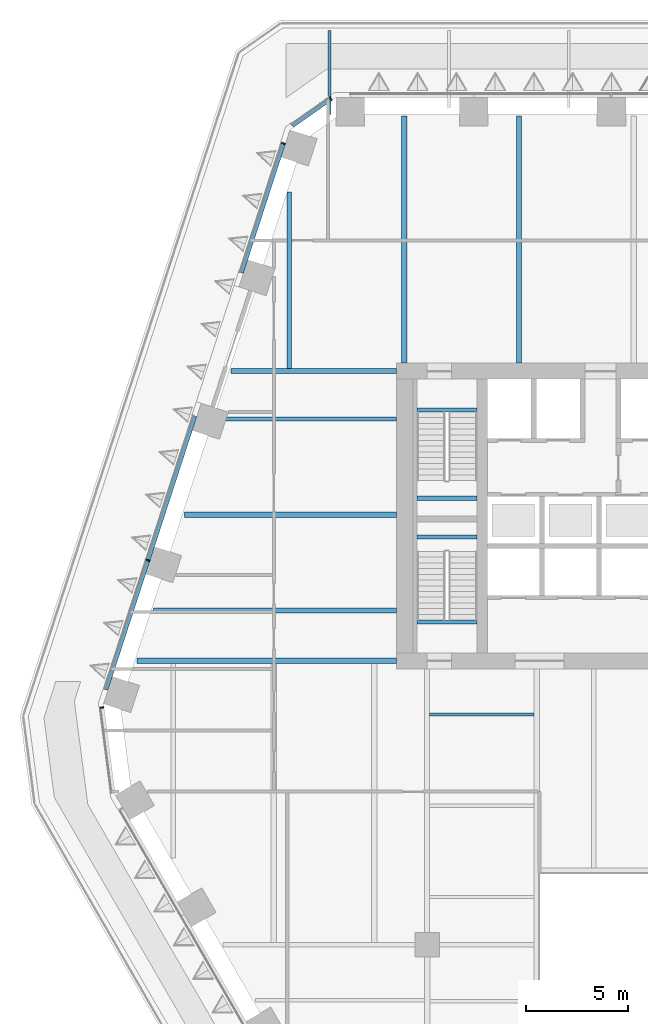
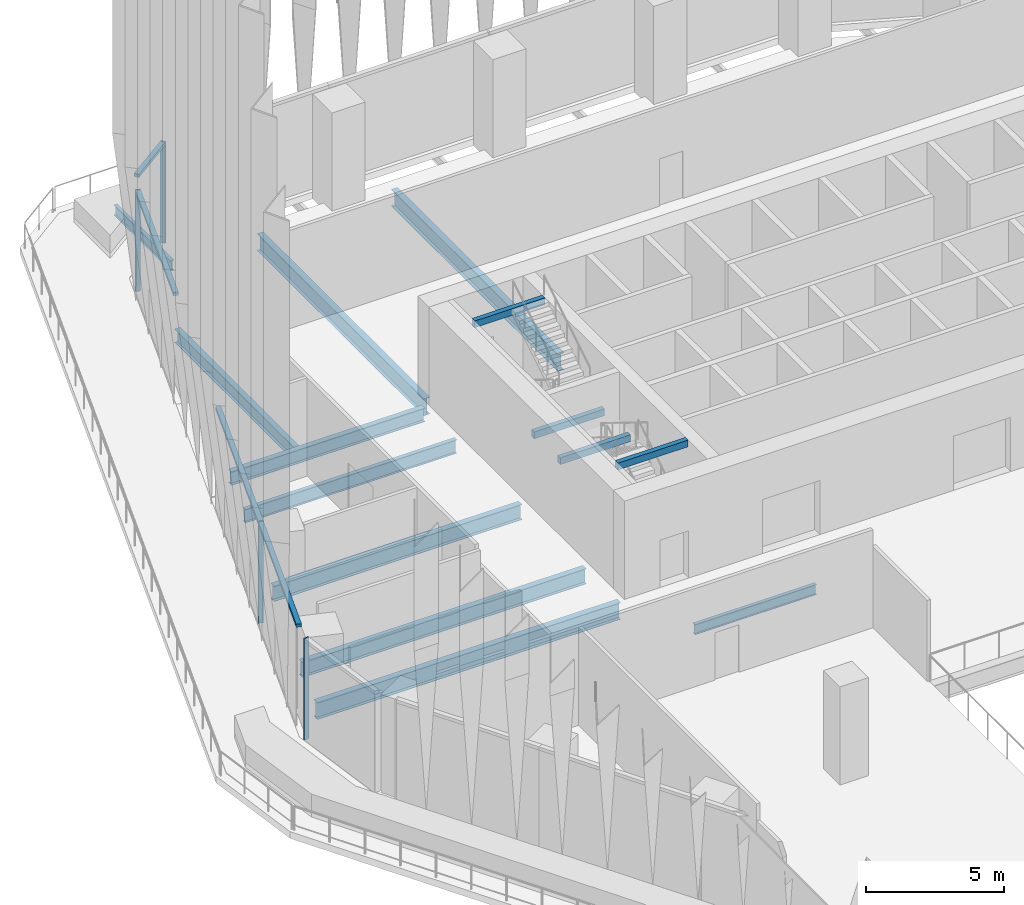
# One storey, part 7 of 27: 14 beams, 8 members, 3 elements without a shape of their own.
"""IFC4 building model written with IfcOpenShell, lengths in metres."""

from ifc_helpers import new_model, si_unit, direction, frame, origin, origin_2d, place, context, subcontext, project, spatial, rectangle, i_section, extrude, material, layer, layer_set, material_profile, profile_set, type_object, element, aggregate, save


model = new_model("IFC4")

# Units and contexts
model_context = context("Model", 3, precision=1e-05, world=origin(), true_north=direction((0.0, 1.0)))
body_context = subcontext(model_context, "Body", "Model", "MODEL_VIEW")
ifc_project = project(units=[si_unit("LENGTHUNIT", "METRE"), si_unit("AREAUNIT", "SQUARE_METRE"), si_unit("VOLUMEUNIT", "CUBIC_METRE"), si_unit("PLANEANGLEUNIT", "RADIAN"), si_unit("MASSUNIT", "GRAM", prefix="KILO")], contexts=[model_context])

# Site, building, storey
site_placement = place(None, origin())
site = spatial("IfcSite", under=ifc_project, at=site_placement, CompositionType="ELEMENT")
building_placement = place(site_placement, origin())
building = spatial("IfcBuilding", under=site, at=building_placement, Name="Isthmus Gate Tower", CompositionType="ELEMENT")
storey_placement = place(building_placement, frame((0.0, 0.0, 121.64990234375)))
storey = spatial("IfcBuildingStorey", under=building, at=storey_placement, Name="L29", CompositionType="ELEMENT", Elevation=121.64990234375)

# Curtain wall, member
ifc_material_1 = material(Name="Aluminium, pale champagne anodised", Category="aluminium")
ifc_layer = layer(ifc_material_1, 0.199951171875)
ifc_layer_set = layer_set([ifc_layer], Name="CW-1 UNITISED CURTAIN WALL 200 DEEP")
curtain_wall_type = type_object("IfcCurtainWallType", Name="CW-1 UNITISED CURTAIN WALL 200 DEEP", PredefinedType="NOTDEFINED", material=ifc_layer_set)
curtain_wall_1_placement = place(storey_placement, origin())
curtain_wall_1 = element("IfcCurtainWall", 1, at=curtain_wall_1_placement, inside=storey, type_object=curtain_wall_type, Name="CW-1 N-NW L29", PredefinedType="NOTDEFINED")
ifc_material_2 = material(Name="Aluminium, pale champagne anodised", Category="aluminium")
ifc_material_profile_1 = material_profile(ifc_material_2, rectangle(XDim=0.06005859375, YDim=0.199951171875, at=origin_2d()), Name="60x200")
ifc_profile_set_1 = profile_set([ifc_material_profile_1], Name="Aluminium, pale champagne anodised")
member_type_1 = type_object("IfcMemberType", Name="CW-1 MULLION 60 X 200", PredefinedType="MULLION", material=ifc_profile_set_1)
member_1_placement = place(storey_placement, frame((-18.216552734375, 27.943115234375, 0.0), z_axis=(0.0, 0.0, 1.0), x_axis=(-0.81785959165, -0.57541783805, 0.0)))
member_1 = element("IfcMember", 2, at=member_1_placement, type_object=member_type_1, Name="CW-1 mullion", PredefinedType="MULLION", context=body_context, shape_type="SweptSolid", body=[
    extrude(rectangle(XDim=0.06005859375, YDim=0.199951171875, at=origin_2d()), origin(), (0.0, 0.0, 1.0), 4.5),
])

# Curtain wall, members
curtain_wall_2_placement = place(storey_placement, origin())
curtain_wall_2 = element("IfcCurtainWall", 3, at=curtain_wall_2_placement, inside=storey, type_object=curtain_wall_type, Name="CW-1 NW L29", PredefinedType="NOTDEFINED")
member_2_placement = place(storey_placement, frame((-20.53564453125, 25.75146484375, 0.0), z_axis=(0.0, 0.0, 1.0), x_axis=(-0.309016994375, -0.951056516295, 0.0)))
member_2 = element("IfcMember", 4, at=member_2_placement, type_object=member_type_1, Name="CW-1 mullion", PredefinedType="MULLION", context=body_context, shape_type="SweptSolid", body=[
    extrude(rectangle(XDim=0.06005859375, YDim=0.199951171875, at=origin_2d()), origin(), (0.0, 0.0, 1.0), 4.5),
])
member_3_placement = place(storey_placement, frame((-27.1708984375, 5.330078125, 0.0), z_axis=(0.0, 0.0, 1.0), x_axis=(-0.309016994375, -0.951056516295, 0.0)))
member_3 = element("IfcMember", 5, at=member_3_placement, type_object=member_type_1, Name="CW-1 mullion", PredefinedType="MULLION", context=body_context, shape_type="SweptSolid", body=[
    extrude(rectangle(XDim=0.06005859375, YDim=0.199951171875, at=origin_2d()), origin(), (0.0, 0.0, 1.0), 4.5),
])

# Curtain wall, member
curtain_wall_3_placement = place(storey_placement, origin())
curtain_wall_3 = element("IfcCurtainWall", 6, at=curtain_wall_3_placement, inside=storey, type_object=curtain_wall_type, Name="CW-1 NW-SW L29", PredefinedType="NOTDEFINED")
member_4_placement = place(storey_placement, frame((-29.42724609375, -1.88525390625, 0.0), z_axis=(0.0, 0.0, 1.0), x_axis=(0.129164534, -0.991623175988, 0.0)))
member_4 = element("IfcMember", 7, at=member_4_placement, type_object=member_type_1, Name="CW-1 mullion", PredefinedType="MULLION", context=body_context, shape_type="SweptSolid", body=[
    extrude(rectangle(XDim=0.06005859375, YDim=0.199951171875, at=origin_2d()), origin(), (0.0, 0.0, 1.0), 4.5),
])
aggregate(curtain_wall_3, [member_4])

# Member
ifc_material_3 = material(Name="Aluminium, pale champagne anodised", Category="aluminium")
ifc_material_profile_2 = material_profile(ifc_material_3, rectangle(XDim=0.199951171875, YDim=0.139892578125, at=origin_2d()), Name="200x140")
ifc_profile_set_2 = profile_set([ifc_material_profile_2], Name="Aluminium, pale champagne anodised")
member_type_2 = type_object("IfcMemberType", Name="CW-1 TRANSOM 200 X 140", PredefinedType="USERDEFINED", material=ifc_profile_set_2)
member_5_placement = place(storey_placement, frame((-18.2412109375, 27.92578125, 4.43017578125), z_axis=(-0.817868595604, -0.575405040233, 0.0), x_axis=(0.575405040233, -0.817868595604, 0.0)))
member_5 = element("IfcMember", 8, at=member_5_placement, type_object=member_type_2, Name="CW-1 transom", ObjectType="TRANSOM", PredefinedType="USERDEFINED", context=body_context, shape_type="SweptSolid", body=[
    extrude(rectangle(XDim=0.199951171875, YDim=0.139892578125, at=origin_2d()), origin(), (0.0, 0.0, 1.0), 2.258544921875),
])

aggregate(curtain_wall_1, [member_1, member_5])

member_6_placement = place(storey_placement, frame((-20.544921875, 25.72314453125, 4.43017578125), z_axis=(-0.30898366881, -0.951067343782, 0.0), x_axis=(0.951067343782, -0.30898366881, 0.0)))
member_6 = element("IfcMember", 9, at=member_6_placement, type_object=member_type_2, Name="CW-1 transom", ObjectType="TRANSOM", PredefinedType="USERDEFINED", context=body_context, shape_type="SweptSolid", body=[
    extrude(rectangle(XDim=0.199951171875, YDim=0.139892578125, at=origin_2d()), origin(), (0.0, 0.0, 1.0), 6.630859375),
])

member_7_placement = place(storey_placement, frame((-24.877685546875, 12.3876953125, 4.43017578125), z_axis=(-0.309024076379, -0.951054215183, 0.0), x_axis=(0.951054215183, -0.309024076379, 0.0)))
member_7 = element("IfcMember", 10, at=member_7_placement, type_object=member_type_2, Name="CW-1 transom", ObjectType="TRANSOM", PredefinedType="USERDEFINED", context=body_context, shape_type="SweptSolid", body=[
    extrude(rectangle(XDim=0.199951171875, YDim=0.139892578125, at=origin_2d()), origin(), (0.0, 0.0, 1.0), 7.390869140625),
])

member_8_placement = place(storey_placement, frame((-27.18017578125, 5.301513671875, 4.43017578125), z_axis=(-0.309027792969, -0.951053007552, 0.0), x_axis=(0.951053007552, -0.309027792969, 0.0)))
member_8 = element("IfcMember", 11, at=member_8_placement, type_object=member_type_2, Name="CW-1 transom", ObjectType="TRANSOM", PredefinedType="USERDEFINED", context=body_context, shape_type="SweptSolid", body=[
    extrude(rectangle(XDim=0.199951171875, YDim=0.139892578125, at=origin_2d()), origin(), (0.0, 0.0, 1.0), 6.630615234375),
])

aggregate(curtain_wall_2, [member_2, member_6, member_7, member_3, member_8])

# Beams
ifc_material_4 = material(Name="Concrete f'c 40 MPa", Category="concrete")
ifc_material_profile_3 = material_profile(ifc_material_4, rectangle(XDim=0.199951171875, YDim=0.300048828125, at=origin_2d()), Name="STAIR LANDING BEAM RC 200 X 300")
ifc_profile_set_3 = profile_set([ifc_material_profile_3], Name="Concrete f'c 40 MPa")
beam_type_1 = type_object("IfcBeamType", Name="STAIR LANDING BEAM RC 200 X 300", PredefinedType="BEAM", material=ifc_profile_set_3)
for number, where, z_axis, x_axis, name in (
    (12, (-14.0, 8.3701171875, 1.900146484375), (1.0, 0.0, 0.0), (0.0, 1.0, 0.0), "L29 ST1 landing beam 1"),
    (13, (-14.0, 12.7001953125, 4.2001953125), (1.0, 0.0, 0.0), (0.0, 1.0, 0.0), "L29 ST1 floor-edge seat beam"),
    (14, (-14.0, 6.47998046875, 1.900146484375), (1.0, 0.0, 0.0), (0.0, 1.0, 0.0), "L29 ST7 landing beam 1"),
    (15, (-14.0, 2.2998046875, 4.2001953125), (1.0, 0.0, 0.0), (0.0, 1.0, 0.0), "L29 ST7 floor-edge seat beam"),
):
    element("IfcBeam", number, at=place(storey_placement, frame(where, z_axis=z_axis, x_axis=x_axis)), inside=storey, type_object=beam_type_1, Name=name, PredefinedType="BEAM", context=body_context, shape_type="SweptSolid", body=[
        extrude(rectangle(XDim=0.199951171875, YDim=0.300048828125, at=origin_2d()), origin(), (0.0, 0.0, 1.0), 2.949951171875),
    ])
ifc_material_5 = material(Name="Structural steel ASTM A992 Gr 50", Category="steel")
ifc_material_profile_4 = material_profile(ifc_material_5, i_section(OverallWidth=0.15234375, OverallDepth=0.45068359375, WebThickness=0.0078125, FlangeThickness=0.010986328125, at=origin_2d()), Name="W18X35")
ifc_profile_set_4 = profile_set([ifc_material_profile_4], Name="Structural steel ASTM A992 Gr 50")
beam_type_2 = type_object("IfcBeamType", Name="STEEL FLOOR BEAM W18X35", PredefinedType="JOIST", material=ifc_profile_set_4)
beam_1_placement = place(storey_placement, frame((-13.3681640625, -2.232421875, -0.525390625), z_axis=(1.0, 0.0, 0.0), x_axis=(0.0, 1.0, 0.0)))
element("IfcBeam", 16, at=beam_1_placement, inside=storey, type_object=beam_type_2, Name="str-beam-L29-04-02", PredefinedType="JOIST", context=body_context, shape_type="SweptSolid", body=[
    extrude(i_section(OverallWidth=0.15234375, OverallDepth=0.45068359375, WebThickness=0.0078125, FlangeThickness=0.010986328125, at=origin_2d()), origin(), (0.0, 0.0, 1.0), 5.1015625),
])
ifc_material_6 = material(Name="Structural steel ASTM A992 Gr 50", Category="steel")
ifc_material_profile_5 = material_profile(ifc_material_6, i_section(OverallWidth=0.177734375, OverallDepth=0.60009765625, WebThickness=0.009521484375, FlangeThickness=0.0126953125, at=origin_2d()), Name="W24X55")
ifc_profile_set_5 = profile_set([ifc_material_profile_5], Name="Structural steel ASTM A992 Gr 50")
beam_type_3 = type_object("IfcBeamType", Name="STEEL FLOOR BEAM W24X55", PredefinedType="JOIST", material=ifc_profile_set_5)
beam_2_placement = place(storey_placement, frame((-23.8642578125, 12.25537109375, -0.599853515625), z_axis=(1.0, 0.0, 0.0), x_axis=(0.0, 1.0, 0.0)))
element("IfcBeam", 17, at=beam_2_placement, inside=storey, type_object=beam_type_3, Name="str-beam-L29-01-02", PredefinedType="JOIST", context=body_context, shape_type="SweptSolid", body=[
    extrude(i_section(OverallWidth=0.177734375, OverallDepth=0.60009765625, WebThickness=0.009521484375, FlangeThickness=0.0126953125, at=origin_2d()), origin(), (0.0, 0.0, 1.0), 8.8642578125),
])
ifc_material_7 = material(Name="Structural steel ASTM A992 Gr 50", Category="steel")
ifc_material_profile_6 = material_profile(ifc_material_7, i_section(OverallWidth=0.228515625, OverallDepth=0.603271484375, WebThickness=0.010986328125, FlangeThickness=0.014404296875, at=origin_2d()), Name="W24X68")
ifc_profile_set_6 = profile_set([ifc_material_profile_6], Name="Structural steel ASTM A992 Gr 50")
beam_type_4 = type_object("IfcBeamType", Name="STEEL FLOOR BEAM W24X68", PredefinedType="JOIST", material=ifc_profile_set_6)
beam_3_placement = place(storey_placement, frame((-20.251708984375, 14.71435546875, -0.6015625), z_axis=(0.0, 1.0, 0.0), x_axis=(-1.0, 0.0, 0.0)))
element("IfcBeam", 18, at=beam_3_placement, inside=storey, type_object=beam_type_4, Name="str-beam-L29-05-00", PredefinedType="JOIST", context=body_context, shape_type="SweptSolid", body=[
    extrude(i_section(OverallWidth=0.228515625, OverallDepth=0.603271484375, WebThickness=0.010986328125, FlangeThickness=0.014404296875, at=origin_2d()), origin(), (0.0, 0.0, 1.0), 8.6591796875),
])
ifc_material_8 = material(Name="Structural steel ASTM A992 Gr 50", Category="steel")
ifc_material_profile_7 = material_profile(ifc_material_8, i_section(OverallWidth=0.25390625, OverallDepth=0.679443359375, WebThickness=0.010986328125, FlangeThickness=0.015869140625, at=origin_2d()), Name="W27X84")
ifc_profile_set_7 = profile_set([ifc_material_profile_7], Name="Structural steel ASTM A992 Gr 50")
beam_type_5 = type_object("IfcBeamType", Name="STEEL FLOOR BEAM W27X84", PredefinedType="JOIST", material=ifc_profile_set_7)
beam_4_placement = place(storey_placement, frame((-26.91162109375, 2.87646484375, -0.6396484375), z_axis=(1.0, 0.0, 0.0), x_axis=(0.0, 1.0, 0.0)))
element("IfcBeam", 19, at=beam_4_placement, inside=storey, type_object=beam_type_5, Name="str-beam-L29-01-00", PredefinedType="JOIST", context=body_context, shape_type="SweptSolid", body=[
    extrude(i_section(OverallWidth=0.25390625, OverallDepth=0.679443359375, WebThickness=0.010986328125, FlangeThickness=0.015869140625, at=origin_2d()), origin(), (0.0, 0.0, 1.0), 11.91162109375),
])
beam_5_placement = place(storey_placement, frame((-25.387939453125, 7.56591796875, -0.6396484375), z_axis=(1.0, 0.0, 0.0), x_axis=(0.0, 1.0, 0.0)))
element("IfcBeam", 20, at=beam_5_placement, inside=storey, type_object=beam_type_5, Name="str-beam-L29-01-01", PredefinedType="JOIST", context=body_context, shape_type="SweptSolid", body=[
    extrude(i_section(OverallWidth=0.25390625, OverallDepth=0.679443359375, WebThickness=0.010986328125, FlangeThickness=0.015869140625, at=origin_2d()), origin(), (0.0, 0.0, 1.0), 10.387939453125),
])
ifc_material_9 = material(Name="Structural steel ASTM A992 Gr 50", Category="steel")
ifc_material_profile_8 = material_profile(ifc_material_9, i_section(OverallWidth=0.263427734375, OverallDepth=0.749267578125, WebThickness=0.0126953125, FlangeThickness=0.015869140625, at=origin_2d()), Name="W30X90")
ifc_profile_set_8 = profile_set([ifc_material_profile_8], Name="Structural steel ASTM A992 Gr 50")
beam_type_6 = type_object("IfcBeamType", Name="STEEL FLOOR BEAM W30X90", PredefinedType="JOIST", material=ifc_profile_set_8)
for number, where, z_axis, x_axis, name in (
    (21, (-14.62451171875, 15.0, -0.674560546875), (0.0, 1.0, 0.0), (-1.0, 0.0, 0.0), "str-beam-L29-05-01"),
    (22, (-8.997314453125, 15.0, -0.674560546875), (0.0, 1.0, 0.0), (-1.0, 0.0, 0.0), "str-beam-L29-05-02"),
):
    element("IfcBeam", number, at=place(storey_placement, frame(where, z_axis=z_axis, x_axis=x_axis)), inside=storey, type_object=beam_type_6, Name=name, PredefinedType="JOIST", context=body_context, shape_type="SweptSolid", body=[
        extrude(i_section(OverallWidth=0.263427734375, OverallDepth=0.749267578125, WebThickness=0.0126953125, FlangeThickness=0.015869140625, at=origin_2d()), origin(), (0.0, 0.0, 1.0), 12.09521484375),
    ])
ifc_material_10 = material(Name="Structural steel ASTM A992 Gr 50", Category="steel")
ifc_material_profile_9 = material_profile(ifc_material_10, i_section(OverallWidth=0.228515625, OverallDepth=0.6064453125, WebThickness=0.010986328125, FlangeThickness=0.017578125, at=origin_2d()), Name="W24X76")
ifc_profile_set_9 = profile_set([ifc_material_profile_9], Name="Structural steel ASTM A992 Gr 50")
beam_type_7 = type_object("IfcBeamType", Name="STEEL GIRDER W24X76", PredefinedType="BEAM", material=ifc_profile_set_9)
beam_6_placement = place(storey_placement, frame((-15.0, 14.60009765625, -0.60302734375), z_axis=(-1.0, 0.0, 0.0), x_axis=(0.0, -1.0, 0.0)))
element("IfcBeam", 23, at=beam_6_placement, inside=storey, type_object=beam_type_7, Name="str-girder-L29-15", PredefinedType="BEAM", context=body_context, shape_type="SweptSolid", body=[
    extrude(i_section(OverallWidth=0.228515625, OverallDepth=0.6064453125, WebThickness=0.010986328125, FlangeThickness=0.017578125, at=origin_2d()), origin(), (0.0, 0.0, 1.0), 8.102294921875),
])
ifc_material_11 = material(Name="Structural steel ASTM A992 Gr 50", Category="steel")
ifc_material_profile_10 = material_profile(ifc_material_11, i_section(OverallWidth=0.263427734375, OverallDepth=0.749267578125, WebThickness=0.0126953125, FlangeThickness=0.015869140625, at=origin_2d()), Name="W30X90")
ifc_profile_set_10 = profile_set([ifc_material_profile_10], Name="Structural steel ASTM A992 Gr 50")
beam_type_8 = type_object("IfcBeamType", Name="STEEL GIRDER W30X90", PredefinedType="BEAM", material=ifc_profile_set_10)
beam_7_placement = place(storey_placement, frame((-15.0, 0.39990234375, -0.674560546875), z_axis=(-1.0, 0.0, 0.0), x_axis=(0.0, -1.0, 0.0)))
element("IfcBeam", 24, at=beam_7_placement, inside=storey, type_object=beam_type_8, Name="str-girder-L29-13", PredefinedType="BEAM", context=body_context, shape_type="SweptSolid", body=[
    extrude(i_section(OverallWidth=0.263427734375, OverallDepth=0.749267578125, WebThickness=0.0126953125, FlangeThickness=0.015869140625, at=origin_2d()), origin(), (0.0, 0.0, 1.0), 12.71630859375),
])
ifc_material_12 = material(Name="Structural steel ASTM A992 Gr 50", Category="steel")
ifc_material_profile_11 = material_profile(ifc_material_12, i_section(OverallWidth=0.15234375, OverallDepth=0.45068359375, WebThickness=0.0078125, FlangeThickness=0.010986328125, at=origin_2d()), Name="W18X35")
ifc_profile_set_11 = profile_set([ifc_material_profile_11], Name="Structural steel ASTM A992 Gr 50")
beam_type_9 = type_object("IfcBeamType", Name="STEEL LEDGE BEAM W18X35", PredefinedType="JOIST", material=ifc_profile_set_11)
beam_8_placement = place(storey_placement, frame((-18.27392578125, 27.175048828125, -0.525390625), z_axis=(0.0, 1.0, 0.0), x_axis=(-1.0, 0.0, 0.0)))
element("IfcBeam", 25, at=beam_8_placement, inside=storey, type_object=beam_type_9, Name="str-ringbeam-L29-00-04", PredefinedType="JOIST", context=body_context, shape_type="SweptSolid", body=[
    extrude(i_section(OverallWidth=0.15234375, OverallDepth=0.45068359375, WebThickness=0.0078125, FlangeThickness=0.010986328125, at=origin_2d()), origin(), (0.0, 0.0, 1.0), 4.110595703125),
])

save(model, "model.ifc")
